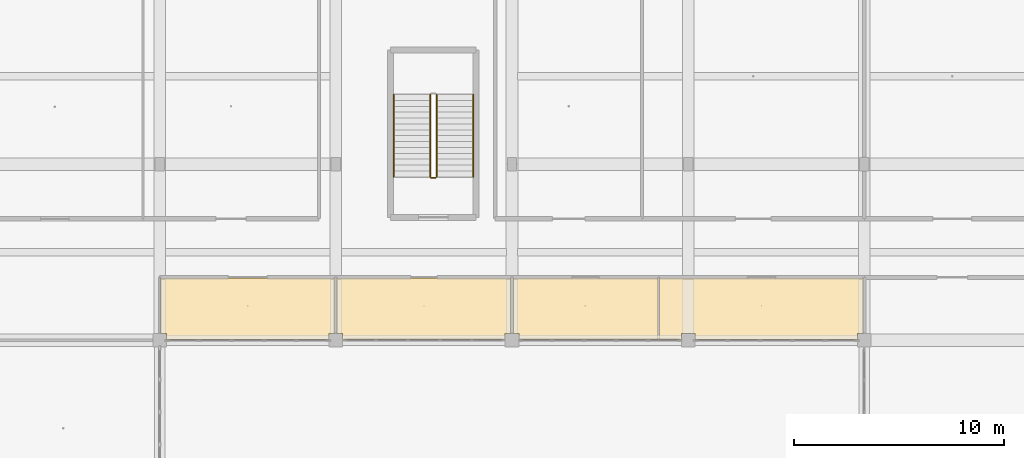
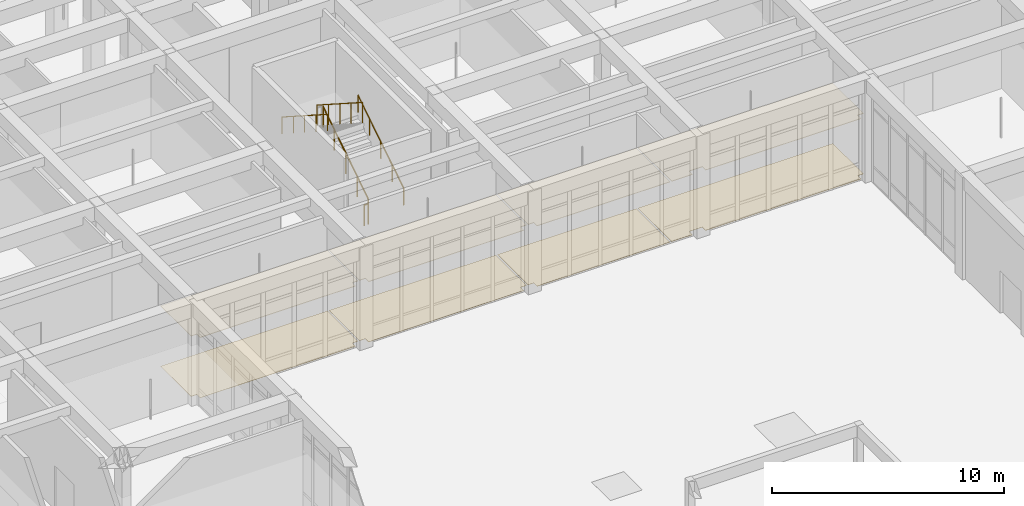
# One storey, part 148 of 167: 8 coverings, 5 railings.
"""IFC4 building model written with IfcOpenShell, lengths in metres."""

from ifc_helpers import new_model, si_unit, direction, frame, origin, origin_2d, place, context, subcontext, project, spatial, polyline, circle, outline, extrude, material, layer, layer_set, type_object, element, save


model = new_model("IFC4")

# Units and contexts
model_context = context("Model", 3, precision=1e-05, world=origin(), true_north=direction((0.0, 1.0)))
body_context = subcontext(model_context, "Body", "Model", "MODEL_VIEW")
ifc_project = project(units=[si_unit("LENGTHUNIT", "METRE"), si_unit("AREAUNIT", "SQUARE_METRE"), si_unit("VOLUMEUNIT", "CUBIC_METRE"), si_unit("PLANEANGLEUNIT", "RADIAN"), si_unit("MASSUNIT", "GRAM", prefix="KILO")], contexts=[model_context])

# Site, building, storey
site_placement = place(None, origin())
site = spatial("IfcSite", under=ifc_project, at=site_placement, CompositionType="ELEMENT")
building_placement = place(site_placement, origin())
building = spatial("IfcBuilding", under=site, at=building_placement, Name="Varncliffe General Hospital", CompositionType="ELEMENT")
storey_placement = place(building_placement, origin())
storey = spatial("IfcBuildingStorey", under=building, at=storey_placement, Name="L00", CompositionType="ELEMENT", Elevation=0.0)

# Coverings
ifc_material_1 = material(Name="Hygienic antimicrobial acoustic suspended ceiling tile", Category="gypsum")
ifc_layer_1 = layer(ifc_material_1, 0.02490234375)
ifc_layer_set_1 = layer_set([ifc_layer_1], Name="Hygienic antimicrobial acoustic suspended ceiling tile")
covering_type_1 = type_object("IfcCoveringType", Name="Antimicrobial Acoustic Suspended Ceiling CLG44", PredefinedType="CEILING", material=ifc_layer_set_1)
covering_1_placement = place(storey_placement, frame((0.0, 0.0, 3.175048828125)))
element("IfcCovering", 1, at=covering_1_placement, inside=storey, type_object=covering_type_1, Name="L00 Diagnostic 3T MRI Imaging Suite 60 Suspended Ceiling", PredefinedType="CEILING", context=body_context, shape_type="SweptSolid", body=[
    extrude(outline(polyline([(33.56005859375, 85.760009765625), (33.56005859375, 83.125), (33.27490234375, 83.125), (33.27490234375, 82.840087890625), (25.52490234375, 82.840087890625), (25.52490234375, 83.125), (25.239990234375, 83.125), (25.239990234375, 85.760009765625), (33.56005859375, 85.760009765625)])), origin(), (0.0, 0.0, 1.0), 0.02490234375),
])
covering_2_placement = place(storey_placement, frame((0.0, 0.0, 3.175048828125)))
element("IfcCovering", 2, at=covering_2_placement, inside=storey, type_object=covering_type_1, Name="L00 Dual-Source CT Radiology Room 61 Suspended Ceiling", PredefinedType="CEILING", context=body_context, shape_type="SweptSolid", body=[
    extrude(outline(polyline([(41.9599609375, 85.760009765625), (41.9599609375, 83.125), (41.675048828125, 83.125), (41.675048828125, 82.840087890625), (33.925048828125, 82.840087890625), (33.925048828125, 83.125), (33.639892578125, 83.125), (33.639892578125, 85.760009765625), (41.9599609375, 85.760009765625)])), origin(), (0.0, 0.0, 1.0), 0.02490234375),
])
covering_3_placement = place(storey_placement, frame((0.0, 0.0, 3.175048828125)))
element("IfcCovering", 3, at=covering_3_placement, inside=storey, type_object=covering_type_1, Name="L00 Nuclear Medicine and Ultrasound Suite 62 Suspended Ceiling", PredefinedType="CEILING", context=body_context, shape_type="SweptSolid", body=[
    extrude(outline(polyline([(42.0400390625, 85.760009765625), (48.9599609375, 85.760009765625), (48.9599609375, 82.840087890625), (42.324951171875, 82.840087890625), (42.324951171875, 83.125), (42.0400390625, 83.125), (42.0400390625, 85.760009765625)])), origin(), (0.0, 0.0, 1.0), 0.02490234375),
])
covering_4_placement = place(storey_placement, frame((0.0, 0.0, 3.175048828125)))
element("IfcCovering", 4, at=covering_4_placement, inside=storey, type_object=covering_type_1, Name="L00 Diagnostic 3T MRI Imaging Suite 63 Suspended Ceiling", PredefinedType="CEILING", context=body_context, shape_type="SweptSolid", body=[
    extrude(outline(polyline([(49.0400390625, 85.760009765625), (58.760009765625, 85.760009765625), (58.760009765625, 83.125), (58.47509765625, 83.125), (58.47509765625, 82.840087890625), (50.72509765625, 82.840087890625), (50.72509765625, 83.125), (50.074951171875, 83.125), (50.074951171875, 82.840087890625), (49.0400390625, 82.840087890625), (49.0400390625, 85.760009765625)])), origin(), (0.0, 0.0, 1.0), 0.02490234375),
])
ifc_material_2 = material(Name="Seamless welded hospital sheet linoleum and terrazzo flooring", Category="linoleum")
ifc_layer_2 = layer(ifc_material_2, 0.011962890625)
ifc_layer_set_2 = layer_set([ifc_layer_2], Name="Seamless welded hospital sheet linoleum and terrazzo flooring")
covering_type_2 = type_object("IfcCoveringType", Name="Seamless Hospital Linoleum Flooring FLR19", PredefinedType="FLOORING", material=ifc_layer_set_2)
covering_5_placement = place(storey_placement, origin())
element("IfcCovering", 5, at=covering_5_placement, inside=storey, type_object=covering_type_2, Name="L00 Diagnostic 3T MRI Imaging Suite 60 Seamless Flooring", PredefinedType="FLOORING", context=body_context, shape_type="SweptSolid", body=[
    extrude(outline(polyline([(33.56005859375, 85.760009765625), (33.56005859375, 83.125), (33.27490234375, 83.125), (33.27490234375, 82.840087890625), (25.52490234375, 82.840087890625), (25.52490234375, 83.125), (25.239990234375, 83.125), (25.239990234375, 85.760009765625), (33.56005859375, 85.760009765625)])), origin(), (0.0, 0.0, 1.0), 0.011962890625),
])
covering_6_placement = place(storey_placement, origin())
element("IfcCovering", 6, at=covering_6_placement, inside=storey, type_object=covering_type_2, Name="L00 Dual-Source CT Radiology Room 61 Seamless Flooring", PredefinedType="FLOORING", context=body_context, shape_type="SweptSolid", body=[
    extrude(outline(polyline([(41.9599609375, 85.760009765625), (41.9599609375, 83.125), (41.675048828125, 83.125), (41.675048828125, 82.840087890625), (33.925048828125, 82.840087890625), (33.925048828125, 83.125), (33.639892578125, 83.125), (33.639892578125, 85.760009765625), (41.9599609375, 85.760009765625)])), origin(), (0.0, 0.0, 1.0), 0.011962890625),
])
covering_7_placement = place(storey_placement, origin())
element("IfcCovering", 7, at=covering_7_placement, inside=storey, type_object=covering_type_2, Name="L00 Nuclear Medicine and Ultrasound Suite 62 Seamless Flooring", PredefinedType="FLOORING", context=body_context, shape_type="SweptSolid", body=[
    extrude(outline(polyline([(42.0400390625, 85.760009765625), (48.9599609375, 85.760009765625), (48.9599609375, 82.840087890625), (42.324951171875, 82.840087890625), (42.324951171875, 83.125), (42.0400390625, 83.125), (42.0400390625, 85.760009765625)])), origin(), (0.0, 0.0, 1.0), 0.011962890625),
])
covering_8_placement = place(storey_placement, origin())
element("IfcCovering", 8, at=covering_8_placement, inside=storey, type_object=covering_type_2, Name="L00 Diagnostic 3T MRI Imaging Suite 63 Seamless Flooring", PredefinedType="FLOORING", context=body_context, shape_type="SweptSolid", body=[
    extrude(outline(polyline([(49.0400390625, 85.760009765625), (58.760009765625, 85.760009765625), (58.760009765625, 83.125), (58.47509765625, 83.125), (58.47509765625, 82.840087890625), (50.72509765625, 82.840087890625), (50.72509765625, 83.125), (50.074951171875, 83.125), (50.074951171875, 82.840087890625), (49.0400390625, 82.840087890625), (49.0400390625, 85.760009765625)])), origin(), (0.0, 0.0, 1.0), 0.011962890625),
])

# Railings
ifc_material_3 = material(Name="Powder-coated hospital steel guardrail and handrail", Category="steel")
railing_type_1 = type_object("IfcRailingType", Name="Stair and Ramp Handrail HR46", PredefinedType="HANDRAIL", material=ifc_material_3)
railing_1_placement = place(storey_placement, frame((40.14990234375, 90.60009765625, 0.364013671875)))
element("IfcRailing", 9, at=railing_1_placement, inside=storey, type_object=railing_type_1, Name="L00 ST13 stair handrail 1", PredefinedType="HANDRAIL", context=body_context, shape_type="SweptSolid", body=[
    extrude(circle(Radius=0.02392578125, at=origin_2d()), frame((0.0, 0.0, 0.8759765625), z_axis=(0.0, 0.841171666519, 0.540768182723), x_axis=(-1.0, 0.0, 0.0)), (0.0, 0.0, 1.0), 4.66015625),
    extrude(circle(Radius=0.02099609375, at=origin_2d()), origin(), (0.0, 0.0, 1.0), 0.851806640625),
    extrude(circle(Radius=0.02099609375, at=origin_2d()), frame((0.0, 0.97998046875, 0.6298828125)), (0.0, 0.0, 1.0), 0.851806640625),
    extrude(circle(Radius=0.02099609375, at=origin_2d()), frame((0.0, 1.9599609375, 1.260009765625)), (0.0, 0.0, 1.0), 0.851806640625),
    extrude(circle(Radius=0.02099609375, at=origin_2d()), frame((0.0, 2.93994140625, 1.89013671875)), (0.0, 0.0, 1.0), 0.851806640625),
    extrude(circle(Radius=0.02099609375, at=origin_2d()), frame((0.0, 3.919921875, 2.52001953125)), (0.0, 0.0, 1.0), 0.851806640625),
])
railing_2_placement = place(storey_placement, frame((36.35009765625, 94.52001953125, 3.06396484375)))
element("IfcRailing", 10, at=railing_2_placement, inside=storey, type_object=railing_type_1, Name="L00 ST13 stair handrail 2", PredefinedType="HANDRAIL", context=body_context, shape_type="SweptSolid", body=[
    extrude(circle(Radius=0.02392578125, at=origin_2d()), frame((0.0, 0.0, 0.8759765625), z_axis=(0.0, -0.841171666519, 0.540768182723), x_axis=(1.0, 0.0, 0.0)), (0.0, 0.0, 1.0), 4.66015625),
    extrude(circle(Radius=0.02099609375, at=origin_2d()), origin(), (0.0, 0.0, 1.0), 0.851806640625),
    extrude(circle(Radius=0.02099609375, at=origin_2d()), frame((0.0, -0.97998046875, 0.6298828125)), (0.0, 0.0, 1.0), 0.851806640625),
    extrude(circle(Radius=0.02099609375, at=origin_2d()), frame((0.0, -1.9599609375, 1.260009765625)), (0.0, 0.0, 1.0), 0.851806640625),
    extrude(circle(Radius=0.02099609375, at=origin_2d()), frame((0.0, -2.93994140625, 1.89013671875)), (0.0, 0.0, 1.0), 0.851806640625),
    extrude(circle(Radius=0.02099609375, at=origin_2d()), frame((0.0, -3.919921875, 2.52001953125)), (0.0, 0.0, 1.0), 0.851806640625),
])
railing_type_2 = type_object("IfcRailingType", Name="Stairwell Guardrail SG49", PredefinedType="GUARDRAIL", material=ifc_material_3)
railing_3_placement = place(storey_placement, frame((38.39990234375, 90.60009765625, 0.179931640625)))
element("IfcRailing", 11, at=railing_3_placement, inside=storey, type_object=railing_type_2, Name="L00 ST13 stair guard 1", PredefinedType="GUARDRAIL", context=body_context, shape_type="SweptSolid", body=[
    extrude(circle(Radius=0.02392578125, at=origin_2d()), frame((0.0, 0.0, 1.076171875), z_axis=(0.0, 0.841171666519, 0.540768182723), x_axis=(-1.0, 0.0, 0.0)), (0.0, 0.0, 1.0), 4.66015625),
    extrude(circle(Radius=0.02099609375, at=origin_2d()), origin(), (0.0, 0.0, 1.0), 1.052001953125),
    extrude(circle(Radius=0.02099609375, at=origin_2d()), frame((0.0, 0.97998046875, 0.6298828125)), (0.0, 0.0, 1.0), 1.052001953125),
    extrude(circle(Radius=0.02099609375, at=origin_2d()), frame((0.0, 1.9599609375, 1.260009765625)), (0.0, 0.0, 1.0), 1.052001953125),
    extrude(circle(Radius=0.02099609375, at=origin_2d()), frame((0.0, 2.93994140625, 1.89013671875)), (0.0, 0.0, 1.0), 1.052001953125),
    extrude(circle(Radius=0.02099609375, at=origin_2d()), frame((0.0, 3.919921875, 2.52001953125)), (0.0, 0.0, 1.0), 1.052001953125),
])
railing_4_placement = place(storey_placement, frame((38.10009765625, 94.52001953125, 2.8798828125)))
element("IfcRailing", 12, at=railing_4_placement, inside=storey, type_object=railing_type_2, Name="L00 ST13 stair guard 3", PredefinedType="GUARDRAIL", context=body_context, shape_type="SweptSolid", body=[
    extrude(circle(Radius=0.02392578125, at=origin_2d()), frame((0.0, 0.0, 1.076171875), z_axis=(0.0, -0.841171666519, 0.540768182723), x_axis=(1.0, 0.0, 0.0)), (0.0, 0.0, 1.0), 4.66015625),
    extrude(circle(Radius=0.02099609375, at=origin_2d()), origin(), (0.0, 0.0, 1.0), 1.052001953125),
    extrude(circle(Radius=0.02099609375, at=origin_2d()), frame((0.0, -0.97998046875, 0.6298828125)), (0.0, 0.0, 1.0), 1.052001953125),
    extrude(circle(Radius=0.02099609375, at=origin_2d()), frame((0.0, -1.9599609375, 1.260009765625)), (0.0, 0.0, 1.0), 1.052001953125),
    extrude(circle(Radius=0.02099609375, at=origin_2d()), frame((0.0, -2.93994140625, 1.89013671875)), (0.0, 0.0, 1.0), 1.052001953125),
    extrude(circle(Radius=0.02099609375, at=origin_2d()), frame((0.0, -3.919921875, 2.52001953125)), (0.0, 0.0, 1.0), 1.052001953125),
])
railing_5_placement = place(storey_placement, frame((38.35009765625, 90.550048828125, 0.0)))
element("IfcRailing", 13, at=railing_5_placement, inside=storey, type_object=railing_type_2, Name="L00 ST13 stair guard 4", PredefinedType="GUARDRAIL", context=body_context, shape_type="SweptSolid", body=[
    extrude(circle(Radius=0.02392578125, at=origin_2d()), frame((0.0, 0.0, 1.076171875), z_axis=(-1.0, 0.0, 0.0), x_axis=(0.0, -1.0, 0.0)), (0.0, 0.0, 1.0), 0.2001953125),
    extrude(circle(Radius=0.02099609375, at=origin_2d()), origin(), (0.0, 0.0, 1.0), 1.052001953125),
    extrude(circle(Radius=0.02099609375, at=origin_2d()), frame((-0.2001953125, 0.0, 0.0)), (0.0, 0.0, 1.0), 1.052001953125),
])

save(model, "model.ifc")
